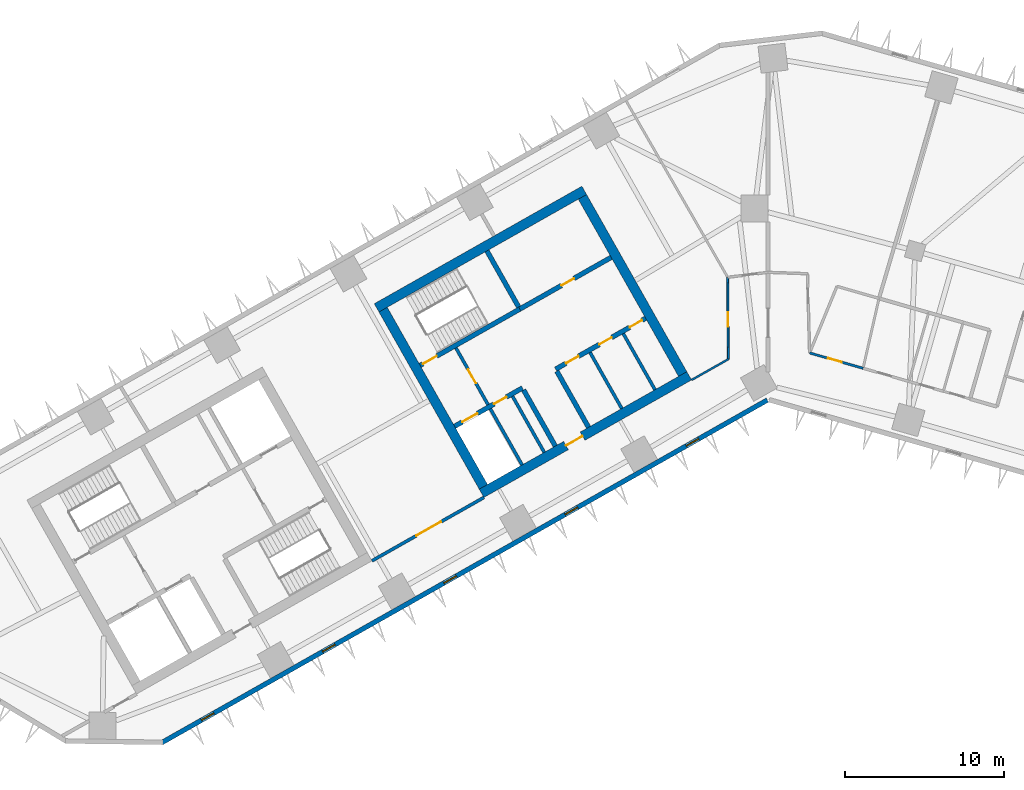
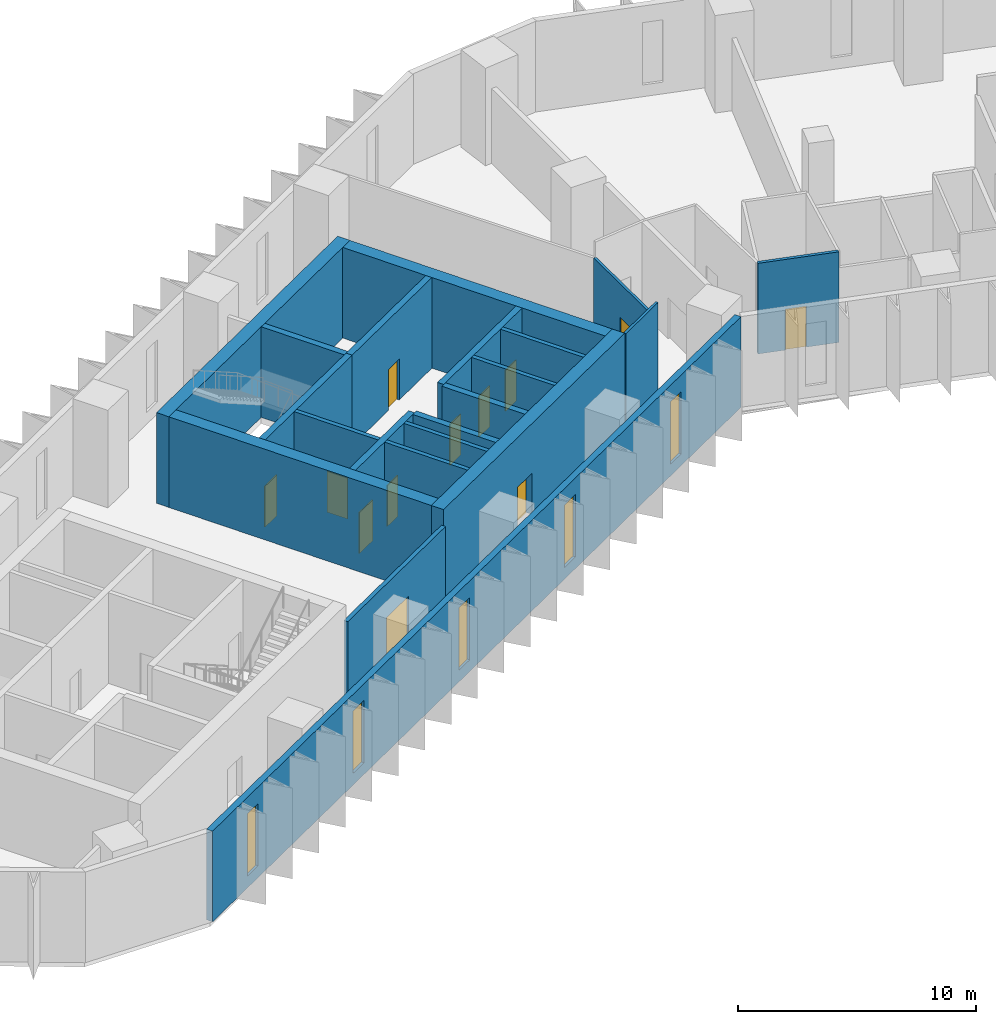
# One storey, part 4 of 11: 21 walls, 12 doors, 5 windows, 17 openings.
"""IFC4 building model written with IfcOpenShell, lengths in metres."""

from ifc_helpers import new_model, si_unit, direction, frame, frame_2d, origin, place, context, subcontext, project, spatial, rectangle, extrude, material, layer, layer_set, type_object, element, fill, save


model = new_model("IFC4")

# Units and contexts
model_context = context("Model", 3, precision=1e-05, world=origin(), true_north=direction((0.0, 1.0)))
body_context = subcontext(model_context, "Body", "Model", "MODEL_VIEW")
ifc_project = project(units=[si_unit("LENGTHUNIT", "METRE"), si_unit("AREAUNIT", "SQUARE_METRE"), si_unit("VOLUMEUNIT", "CUBIC_METRE"), si_unit("PLANEANGLEUNIT", "RADIAN"), si_unit("MASSUNIT", "GRAM", prefix="KILO")], contexts=[model_context])

# Site, building, storey
site_placement = place(None, origin())
site = spatial("IfcSite", under=ifc_project, at=site_placement, CompositionType="ELEMENT")
building_placement = place(site_placement, origin())
building = spatial("IfcBuilding", under=site, at=building_placement, Name="Binnacle Exchange Tower", CompositionType="ELEMENT")
storey_placement = place(building_placement, frame((0.0, 0.0, 86.5)))
storey = spatial("IfcBuildingStorey", under=building, at=storey_placement, Name="L17", CompositionType="ELEMENT", Elevation=86.5)

# Walls
ifc_material_1 = material(Name="Gypsum partition fire rated")
ifc_layer_1 = layer(ifc_material_1, 0.199951171875)
ifc_layer_set_1 = layer_set([ifc_layer_1], Name="Core partition 200")
wall_type_1 = type_object("IfcWallType", Name="Core partition 200", PredefinedType="PARTITIONING", material=ifc_layer_set_1)
wall_1_placement = place(storey_placement, frame((-11.201904296875, 50.96240234375, 0.0), z_axis=(0.0, 0.0, 1.0), x_axis=(0.49241474071, -0.870360685654, 0.0)))
element("IfcWall", 1, at=wall_1_placement, inside=storey, type_object=wall_type_1, Name="Core wall CRWC19", PredefinedType="PARTITIONING", context=body_context, shape_type="SweptSolid", body=[
    extrude(rectangle(XDim=4.05029296875, YDim=0.199951171875, at=frame_2d((2.025146484375, 0.0))), origin(), (0.0, 0.0, 1.0), 4.64990234375),
])
wall_2_placement = place(storey_placement, frame((-9.11279296875, 52.14404296875, 0.0), z_axis=(0.0, 0.0, 1.0), x_axis=(0.492394910396, -0.870371904542, 0.0)))
element("IfcWall", 2, at=wall_2_placement, inside=storey, type_object=wall_type_1, Name="Core wall CRWC22", PredefinedType="PARTITIONING", context=body_context, shape_type="SweptSolid", body=[
    extrude(rectangle(XDim=4.0498046875, YDim=0.199951171875, at=frame_2d((2.02490234375, 0.0))), origin(), (0.0, 0.0, 1.0), 4.64990234375),
])

# Wall, openings, doors
ifc_material_2 = material(Name="Concrete C70/85", Category="concrete")
ifc_layer_2 = layer(ifc_material_2, 0.300048828125)
ifc_layer_set_2 = layer_set([ifc_layer_2], Name="Core wall - front 300")
wall_type_2 = type_object("IfcWallType", Name="Core wall - front 300", PredefinedType="SOLIDWALL", material=ifc_layer_set_2)
wall_3_placement = place(storey_placement, frame((-19.718017578125, 46.31640625, 0.0), z_axis=(0.0, 0.0, 1.0), x_axis=(0.870353963862, 0.492426621528, 0.0)))
wall_3 = element("IfcWall", 3, at=wall_3_placement, inside=storey, type_object=wall_type_2, Name="Core wall CRWC2", PredefinedType="SOLIDWALL", context=body_context, shape_type="SweptSolid", body=[
    extrude(rectangle(XDim=4.89990234375, YDim=0.300048828125, at=frame_2d((2.449951171875, 0.0))), origin(), (0.0, 0.0, 1.0), 4.64990234375),
])
opening_1_placement = place(wall_3_placement, frame((0.550048828125, 0.0, 0.0)))
opening_1 = element("IfcOpeningElement", 4, at=opening_1_placement, cuts=wall_3, Name="Opening LD14", PredefinedType="OPENING", context=body_context, shape_type="SweptSolid", body=[
    extrude(rectangle(XDim=1.10009765625, YDim=2.10009765625, at=frame_2d((0.550048828125, 1.050048828125))), frame((0.0, 0.159912109375, 0.0), z_axis=(0.0, -1.0, 0.0), x_axis=(1.0, 0.0, 0.0)), (0.0, 0.0, 1.0), 0.320068359375),
])
opening_2_placement = place(wall_3_placement, frame((2.85009765625, 0.0, 0.0)))
opening_2 = element("IfcOpeningElement", 5, at=opening_2_placement, cuts=wall_3, Name="Opening DC14", PredefinedType="OPENING", context=body_context, shape_type="SweptSolid", body=[
    extrude(rectangle(XDim=0.89990234375, YDim=2.10009765625, at=frame_2d((0.449951171875, 1.050048828125))), frame((0.0, 0.159912109375, 0.0), z_axis=(0.0, -1.0, 0.0), x_axis=(1.0, 0.0, 0.0)), (0.0, 0.0, 1.0), 0.320068359375),
])
ifc_material_3 = material(Name="Steel door leaf", Category="steel")
door_type_1 = type_object("IfcDoorType", Name="Fire door - lift landing 1100", OperationType="NOTDEFINED", PredefinedType="DOOR", material=ifc_material_3)
door_1_placement = place(opening_1_placement, origin())
door_1 = element("IfcDoor", 6, at=door_1_placement, inside=storey, type_object=door_type_1, Name="Landing door LD14 L17", OperationType="DOUBLE_DOOR_SLIDING", OverallHeight=2.10009765625, OverallWidth=1.10009765625, PredefinedType="DOOR", context=body_context, shape_type="SweptSolid", body=[
    extrude(rectangle(XDim=1.10009765625, YDim=2.10009765625, at=frame_2d((0.550048828125, 1.050048828125))), frame((0.0, 0.02490234375, 0.0), z_axis=(0.0, -1.0, 0.0), x_axis=(1.0, 0.0, 0.0)), (0.0, 0.0, 1.0), 0.050048828125),
])
fill(opening_1, door_1)
door_type_2 = type_object("IfcDoorType", Name="Fire door 900", OperationType="NOTDEFINED", PredefinedType="DOOR", material=ifc_material_3)
door_2_placement = place(opening_2_placement, frame((0.89990234375, 0.0, 0.0), z_axis=(0.0, 0.0, 1.0), x_axis=(-1.0, 0.0, 0.0)))
door_2 = element("IfcDoor", 7, at=door_2_placement, inside=storey, type_object=door_type_2, Name="Core room door CLEANERS STORE", OperationType="SINGLE_SWING_LEFT", OverallHeight=2.10009765625, OverallWidth=0.89990234375, PredefinedType="DOOR", context=body_context, shape_type="SweptSolid", body=[
    extrude(rectangle(XDim=0.89990234375, YDim=2.10009765625, at=frame_2d((0.449951171875, 1.050048828125))), frame((0.0, 0.02490234375, 0.0), z_axis=(0.0, -1.0, 0.0), x_axis=(1.0, 0.0, 0.0)), (0.0, 0.0, 1.0), 0.050048828125),
])
fill(opening_2, door_2)

wall_4_placement = place(storey_placement, frame((-13.364501953125, 49.910888671875, 0.0), z_axis=(0.0, 0.0, 1.0), x_axis=(0.870340995471, 0.49244954219, 0.0)))
wall_4 = element("IfcWall", 8, at=wall_4_placement, inside=storey, type_object=wall_type_2, Name="Core wall CRWC3", PredefinedType="SOLIDWALL", context=body_context, shape_type="SweptSolid", body=[
    extrude(rectangle(XDim=6.5, YDim=0.300048828125, at=frame_2d((3.25, 0.0))), origin(), (0.0, 0.0, 1.0), 4.64990234375),
])
opening_3_placement = place(wall_4_placement, frame((0.75, 0.0, 0.0)))
opening_3 = element("IfcOpeningElement", 9, at=opening_3_placement, cuts=wall_4, Name="Opening DC18", PredefinedType="OPENING", context=body_context, shape_type="SweptSolid", body=[
    extrude(rectangle(XDim=0.89990234375, YDim=2.10009765625, at=frame_2d((0.449951171875, 1.050048828125))), frame((0.0, 0.159912109375, 0.0), z_axis=(0.0, -1.0, 0.0), x_axis=(1.0, 0.0, 0.0)), (0.0, 0.0, 1.0), 0.320068359375),
])
opening_4_placement = place(wall_4_placement, frame((3.14990234375, 0.0, 0.0)))
opening_4 = element("IfcOpeningElement", 10, at=opening_4_placement, cuts=wall_4, Name="Opening DC19", PredefinedType="OPENING", context=body_context, shape_type="SweptSolid", body=[
    extrude(rectangle(XDim=0.89990234375, YDim=2.10009765625, at=frame_2d((0.449951171875, 1.050048828125))), frame((0.0, 0.159912109375, 0.0), z_axis=(0.0, -1.0, 0.0), x_axis=(1.0, 0.0, 0.0)), (0.0, 0.0, 1.0), 0.320068359375),
])
opening_5_placement = place(wall_4_placement, frame((5.35009765625, 0.0, 0.0)))
opening_5 = element("IfcOpeningElement", 11, at=opening_5_placement, cuts=wall_4, Name="Opening DC20", PredefinedType="OPENING", context=body_context, shape_type="SweptSolid", body=[
    extrude(rectangle(XDim=0.89990234375, YDim=2.10009765625, at=frame_2d((0.449951171875, 1.050048828125))), frame((0.0, 0.159912109375, 0.0), z_axis=(0.0, -1.0, 0.0), x_axis=(1.0, 0.0, 0.0)), (0.0, 0.0, 1.0), 0.320068359375),
])
door_3_placement = place(opening_3_placement, frame((0.89990234375, 0.0, 0.0), z_axis=(0.0, 0.0, 1.0), x_axis=(-1.0, 0.0, 0.0)))
door_3 = element("IfcDoor", 12, at=door_3_placement, inside=storey, type_object=door_type_2, Name="Core room door IT STORE", OperationType="SINGLE_SWING_RIGHT", OverallHeight=2.10009765625, OverallWidth=0.89990234375, PredefinedType="DOOR", context=body_context, shape_type="SweptSolid", body=[
    extrude(rectangle(XDim=0.89990234375, YDim=2.10009765625, at=frame_2d((0.449951171875, 1.050048828125))), frame((0.0, 0.02490234375, 0.0), z_axis=(0.0, -1.0, 0.0), x_axis=(1.0, 0.0, 0.0)), (0.0, 0.0, 1.0), 0.050048828125),
])
fill(opening_3, door_3)
door_4_placement = place(opening_4_placement, frame((0.89990234375, 0.0, 0.0), z_axis=(0.0, 0.0, 1.0), x_axis=(-1.0, 0.0, 0.0)))
door_4 = element("IfcDoor", 13, at=door_4_placement, inside=storey, type_object=door_type_2, Name="Core room door UPS CUPBOARD", OperationType="SINGLE_SWING_LEFT", OverallHeight=2.10009765625, OverallWidth=0.89990234375, PredefinedType="DOOR", context=body_context, shape_type="SweptSolid", body=[
    extrude(rectangle(XDim=0.89990234375, YDim=2.10009765625, at=frame_2d((0.449951171875, 1.050048828125))), frame((0.0, 0.02490234375, 0.0), z_axis=(0.0, -1.0, 0.0), x_axis=(1.0, 0.0, 0.0)), (0.0, 0.0, 1.0), 0.050048828125),
])
fill(opening_4, door_4)
door_5_placement = place(opening_5_placement, frame((0.89990234375, 0.0, 0.0), z_axis=(0.0, 0.0, 1.0), x_axis=(-1.0, 0.0, 0.0)))
door_5 = element("IfcDoor", 14, at=door_5_placement, inside=storey, type_object=door_type_2, Name="Core room door FIBRE ENTRY ROOM", OperationType="SINGLE_SWING_LEFT", OverallHeight=2.10009765625, OverallWidth=0.89990234375, PredefinedType="DOOR", context=body_context, shape_type="SweptSolid", body=[
    extrude(rectangle(XDim=0.89990234375, YDim=2.10009765625, at=frame_2d((0.449951171875, 1.050048828125))), frame((0.0, 0.02490234375, 0.0), z_axis=(0.0, -1.0, 0.0), x_axis=(1.0, 0.0, 0.0)), (0.0, 0.0, 1.0), 0.050048828125),
])
fill(opening_5, door_5)

# Wall, opening, door
wall_5_placement = place(storey_placement, frame((-15.6181640625, 53.69140625, 0.0), z_axis=(0.0, 0.0, 1.0), x_axis=(0.870356769198, 0.492421663121, 0.0)))
wall_5 = element("IfcWall", 15, at=wall_5_placement, inside=storey, type_object=wall_type_2, Name="Core wall CRWC5", PredefinedType="SOLIDWALL", context=body_context, shape_type="SweptSolid", body=[
    extrude(rectangle(XDim=6.60009765625, YDim=0.300048828125, at=frame_2d((3.300048828125, 0.0))), origin(), (0.0, 0.0, 1.0), 4.64990234375),
])
opening_6_placement = place(wall_5_placement, frame((3.0, 0.0, 0.0)))
opening_6 = element("IfcOpeningElement", 16, at=opening_6_placement, cuts=wall_5, Name="Opening DC10", PredefinedType="OPENING", context=body_context, shape_type="SweptSolid", body=[
    extrude(rectangle(XDim=0.89990234375, YDim=2.10009765625, at=frame_2d((0.449951171875, 1.050048828125))), frame((0.0, 0.159912109375, 0.0), z_axis=(0.0, -1.0, 0.0), x_axis=(1.0, 0.0, 0.0)), (0.0, 0.0, 1.0), 0.320068359375),
])
door_6_placement = place(opening_6_placement, origin())
door_6 = element("IfcDoor", 17, at=door_6_placement, inside=storey, type_object=door_type_2, Name="Core room door STAFF PANTRY AND STORE", OperationType="SINGLE_SWING_RIGHT", OverallHeight=2.10009765625, OverallWidth=0.89990234375, PredefinedType="DOOR", context=body_context, shape_type="SweptSolid", body=[
    extrude(rectangle(XDim=0.89990234375, YDim=2.10009765625, at=frame_2d((0.449951171875, 1.050048828125))), frame((0.0, 0.02490234375, 0.0), z_axis=(0.0, -1.0, 0.0), x_axis=(1.0, 0.0, 0.0)), (0.0, 0.0, 1.0), 0.050048828125),
])
fill(opening_6, door_6)

# Walls
for number, where, z_axis, x_axis, name in (
    (18, (-15.37939453125, 48.5986328125, 0.0), (0.0, 0.0, 1.0), (0.492394910396, -0.870371904542, 0.0), "Core wall CRWC13"),
    (19, (-13.29052734375, 49.780517578125, 0.0), (0.0, 0.0, 1.0), (0.492394910396, -0.870371904542, 0.0), "Core wall CRWC15"),
):
    element("IfcWall", number, at=place(storey_placement, frame(where, z_axis=z_axis, x_axis=x_axis)), inside=storey, type_object=wall_type_2, Name=name, PredefinedType="SOLIDWALL", context=body_context, shape_type="SweptSolid", body=[
        extrude(rectangle(XDim=4.0498046875, YDim=0.300048828125, at=frame_2d((2.02490234375, 0.0))), origin(), (0.0, 0.0, 1.0), 4.64990234375),
    ])

# Wall, opening, door
ifc_layer_3 = layer(ifc_material_2, 0.60009765625)
ifc_layer_set_3 = layer_set([ifc_layer_3], Name="Core wall - outer 600")
wall_type_3 = type_object("IfcWallType", Name="Core wall - outer 600", PredefinedType="SOLIDWALL", material=ifc_layer_set_3)
wall_6_placement = place(storey_placement, frame((-18.0244140625, 42.104248046875, 0.0), z_axis=(0.0, 0.0, 1.0), x_axis=(0.870360574057, 0.492414937962, 0.0)))
wall_6 = element("IfcWall", 20, at=wall_6_placement, inside=storey, type_object=wall_type_3, Name="Core wall CRWC1", PredefinedType="SOLIDWALL", context=body_context, shape_type="SweptSolid", body=[
    extrude(rectangle(XDim=15.0, YDim=0.60009765625, at=frame_2d((7.5, 0.0))), origin(), (0.0, 0.0, 1.0), 4.64990234375),
])
opening_7_placement = place(wall_6_placement, frame((6.10009765625, 0.0, 0.0)))
opening_7 = element("IfcOpeningElement", 21, at=opening_7_placement, cuts=wall_6, Name="Opening DC7", PredefinedType="OPENING", context=body_context, shape_type="SweptSolid", body=[
    extrude(rectangle(XDim=1.199951171875, YDim=2.10009765625, at=frame_2d((0.60009765625, 1.050048828125))), frame((0.0, 0.31005859375, 0.0), z_axis=(0.0, -1.0, 0.0), x_axis=(1.0, 0.0, 0.0)), (0.0, 0.0, 1.0), 0.6201171875),
])
door_type_3 = type_object("IfcDoorType", Name="Fire door 1200", OperationType="NOTDEFINED", PredefinedType="DOOR", material=ifc_material_3)
door_7_placement = place(opening_7_placement, frame((1.199951171875, 0.0, 0.0), z_axis=(0.0, 0.0, 1.0), x_axis=(-1.0, 0.0, 0.0)))
door_7 = element("IfcDoor", 22, at=door_7_placement, inside=storey, type_object=door_type_3, Name="Lift lobby entrance door core C", OperationType="SINGLE_SWING_RIGHT", OverallHeight=2.10009765625, OverallWidth=1.199951171875, PredefinedType="DOOR", context=body_context, shape_type="SweptSolid", body=[
    extrude(rectangle(XDim=1.199951171875, YDim=2.10009765625, at=frame_2d((0.60009765625, 1.050048828125))), frame((0.0, 0.02490234375, 0.0), z_axis=(0.0, -1.0, 0.0), x_axis=(1.0, 0.0, 0.0)), (0.0, 0.0, 1.0), 0.050048828125),
])
fill(opening_7, door_7)

# Walls
wall_7_placement = place(storey_placement, frame((-24.622802734375, 53.76708984375, 0.0), z_axis=(0.0, 0.0, 1.0), x_axis=(0.870356627484, 0.492421913601, 0.0)))
element("IfcWall", 23, at=wall_7_placement, inside=storey, type_object=wall_type_3, Name="Core wall CRWC6", PredefinedType="SOLIDWALL", context=body_context, shape_type="SweptSolid", body=[
    extrude(rectangle(XDim=14.999755859375, YDim=0.60009765625, at=frame_2d((7.5, 0.0))), origin(), (0.0, 0.0, 1.0), 4.64990234375),
])
wall_8_placement = place(storey_placement, frame((-24.214111328125, 53.653564453125, 0.0), z_axis=(0.0, 0.0, 1.0), x_axis=(0.492441221355, -0.870345703448, 0.0)))
element("IfcWall", 24, at=wall_8_placement, inside=storey, type_object=wall_type_3, Name="Core wall CRWC7", PredefinedType="SOLIDWALL", context=body_context, shape_type="SweptSolid", body=[
    extrude(rectangle(XDim=12.800048828125, YDim=0.60009765625, at=frame_2d((6.39990234375, 0.0))), origin(), (0.0, 0.0, 1.0), 4.64990234375),
])
wall_9_placement = place(storey_placement, frame((-11.680908203125, 60.744384765625, 0.0), z_axis=(0.0, 0.0, 1.0), x_axis=(0.492426772896, -0.870353878221, 0.0)))
element("IfcWall", 25, at=wall_9_placement, inside=storey, type_object=wall_type_3, Name="Core wall CRWC24", PredefinedType="SOLIDWALL", context=body_context, shape_type="SweptSolid", body=[
    extrude(rectangle(XDim=12.7998046875, YDim=0.60009765625, at=frame_2d((6.39990234375, 0.0))), origin(), (0.0, 0.0, 1.0), 4.64990234375),
])

# Wall, opening, door
ifc_layer_4 = layer(ifc_material_2, 0.300048828125)
ifc_layer_set_4 = layer_set([ifc_layer_4], Name="Core wall - stair 300")
wall_type_4 = type_object("IfcWallType", Name="Core wall - stair 300", PredefinedType="SOLIDWALL", material=ifc_layer_set_4)
wall_10_placement = place(storey_placement, frame((-21.884765625, 50.14599609375, 0.0), z_axis=(0.0, 0.0, 1.0), x_axis=(0.870359411463, 0.492416992881, 0.0)))
wall_10 = element("IfcWall", 26, at=wall_10_placement, inside=storey, type_object=wall_type_4, Name="Core wall CRWC4", PredefinedType="SOLIDWALL", context=body_context, shape_type="SweptSolid", body=[
    extrude(rectangle(XDim=7.199951171875, YDim=0.300048828125, at=frame_2d((3.60009765625, 0.0))), origin(), (0.0, 0.0, 1.0), 4.64990234375),
])
opening_8_placement = place(wall_10_placement, frame((0.199951171875, 0.0, 0.0)))
opening_8 = element("IfcOpeningElement", 27, at=opening_8_placement, cuts=wall_10, Name="Opening DC1", PredefinedType="OPENING", context=body_context, shape_type="SweptSolid", body=[
    extrude(rectangle(XDim=1.0, YDim=2.10009765625, at=frame_2d((0.5, 1.050048828125))), frame((0.0, 0.159912109375, 0.0), z_axis=(0.0, -1.0, 0.0), x_axis=(1.0, 0.0, 0.0)), (0.0, 0.0, 1.0), 0.320068359375),
])
door_type_4 = type_object("IfcDoorType", Name="Fire door 1000", OperationType="NOTDEFINED", PredefinedType="DOOR", material=ifc_material_3)
door_8_placement = place(opening_8_placement, origin())
door_8 = element("IfcDoor", 28, at=door_8_placement, inside=storey, type_object=door_type_4, Name="Stair door ST-C1", OperationType="SINGLE_SWING_LEFT", OverallHeight=2.10009765625, OverallWidth=1.0, PredefinedType="DOOR", context=body_context, shape_type="SweptSolid", body=[
    extrude(rectangle(XDim=1.0, YDim=2.10009765625, at=frame_2d((0.5, 1.050048828125))), frame((0.0, 0.02490234375, 0.0), z_axis=(0.0, -1.0, 0.0), x_axis=(1.0, 0.0, 0.0)), (0.0, 0.0, 1.0), 0.050048828125),
])
fill(opening_8, door_8)

# Wall
wall_11_placement = place(storey_placement, frame((-17.686279296875, 57.3466796875, 0.0), z_axis=(0.0, 0.0, 1.0), x_axis=(0.492420746998, -0.870357287513, 0.0)))
element("IfcWall", 29, at=wall_11_placement, inside=storey, type_object=wall_type_4, Name="Core wall CRWC14", PredefinedType="SOLIDWALL", context=body_context, shape_type="SweptSolid", body=[
    extrude(rectangle(XDim=4.049560546875, YDim=0.300048828125, at=frame_2d((2.02490234375, 0.0))), origin(), (0.0, 0.0, 1.0), 4.64990234375),
])

# Wall, openings, windows
ifc_material_4 = material(Name="Bronze aluminium cladding", Category="aluminium")
ifc_layer_5 = layer(ifc_material_4, 0.300048828125)
ifc_layer_set_5 = layer_set([ifc_layer_5], Name="External wall - spandrel 300")
wall_type_5 = type_object("IfcWallType", Name="External wall - spandrel 300", PredefinedType="STANDARD", material=ifc_layer_set_5)
wall_12_placement = place(storey_placement, frame((-0.0546875, 47.968994140625, 0.0), z_axis=(0.0, 0.0, 1.0), x_axis=(-0.870355730478, -0.492423499058, 0.0)))
wall_12 = element("IfcWall", 30, at=wall_12_placement, inside=storey, type_object=wall_type_5, Name="External wall EW-F07 L17", PredefinedType="STANDARD", context=body_context, shape_type="SweptSolid", body=[
    extrude(rectangle(XDim=43.750244140625, YDim=0.300048828125, at=frame_2d((21.875, 0.0))), origin(), (0.0, 0.0, 1.0), 4.64990234375),
])
opening_9_placement = place(wall_12_placement, frame((39.976806640625, 0.0, 0.60009765625)))
opening_9 = element("IfcOpeningElement", 31, at=opening_9_placement, cuts=wall_12, Name="Opening WS1", PredefinedType="OPENING", context=body_context, shape_type="SweptSolid", body=[
    extrude(rectangle(XDim=0.89990234375, YDim=3.199951171875, at=frame_2d((0.449951171875, 1.60009765625))), frame((0.0, 0.159912109375, 0.0), z_axis=(0.0, -1.0, 0.0), x_axis=(1.0, 0.0, 0.0)), (0.0, 0.0, 1.0), 0.320068359375),
])
opening_10_placement = place(wall_12_placement, frame((31.222412109375, 0.0, 0.60009765625)))
opening_10 = element("IfcOpeningElement", 32, at=opening_10_placement, cuts=wall_12, Name="Opening WS1", PredefinedType="OPENING", context=body_context, shape_type="SweptSolid", body=[
    extrude(rectangle(XDim=0.89990234375, YDim=3.199951171875, at=frame_2d((0.449951171875, 1.60009765625))), frame((0.0, 0.159912109375, 0.0), z_axis=(0.0, -1.0, 0.0), x_axis=(1.0, 0.0, 0.0)), (0.0, 0.0, 1.0), 0.320068359375),
])
opening_11_placement = place(wall_12_placement, frame((22.4677734375, 0.0, 0.60009765625)))
opening_11 = element("IfcOpeningElement", 33, at=opening_11_placement, cuts=wall_12, Name="Opening WS1", PredefinedType="OPENING", context=body_context, shape_type="SweptSolid", body=[
    extrude(rectangle(XDim=0.89990234375, YDim=3.199951171875, at=frame_2d((0.449951171875, 1.60009765625))), frame((0.0, 0.159912109375, 0.0), z_axis=(0.0, -1.0, 0.0), x_axis=(1.0, 0.0, 0.0)), (0.0, 0.0, 1.0), 0.320068359375),
])
opening_12_placement = place(wall_12_placement, frame((13.713134765625, 0.0, 0.60009765625)))
opening_12 = element("IfcOpeningElement", 34, at=opening_12_placement, cuts=wall_12, Name="Opening WS1", PredefinedType="OPENING", context=body_context, shape_type="SweptSolid", body=[
    extrude(rectangle(XDim=0.89990234375, YDim=3.199951171875, at=frame_2d((0.449951171875, 1.60009765625))), frame((0.0, 0.159912109375, 0.0), z_axis=(0.0, -1.0, 0.0), x_axis=(1.0, 0.0, 0.0)), (0.0, 0.0, 1.0), 0.320068359375),
])
opening_13_placement = place(wall_12_placement, frame((4.958740234375, 0.0, 0.60009765625)))
opening_13 = element("IfcOpeningElement", 35, at=opening_13_placement, cuts=wall_12, Name="Opening WS1", PredefinedType="OPENING", context=body_context, shape_type="SweptSolid", body=[
    extrude(rectangle(XDim=0.89990234375, YDim=3.199951171875, at=frame_2d((0.449951171875, 1.60009765625))), frame((0.0, 0.159912109375, 0.0), z_axis=(0.0, -1.0, 0.0), x_axis=(1.0, 0.0, 0.0)), (0.0, 0.0, 1.0), 0.320068359375),
])
ifc_material_5 = material(Name="Bronze anodised aluminium frame", Category="aluminium")
window_type = type_object("IfcWindowType", Name="WS1 WINDOW 900x3200", PartitioningType="SINGLE_PANEL", PredefinedType="WINDOW", material=ifc_material_5)
window_1_placement = place(opening_9_placement, origin())
window_1 = element("IfcWindow", 36, at=window_1_placement, inside=storey, type_object=window_type, Name="Window WS1 L17", OverallHeight=3.199951171875, OverallWidth=0.89990234375, PartitioningType="SINGLE_PANEL", PredefinedType="WINDOW", context=body_context, shape_type="SweptSolid", body=[
    extrude(rectangle(XDim=0.89990234375, YDim=3.199951171875, at=frame_2d((0.449951171875, 1.60009765625))), frame((0.0, 0.030029296875, 0.0), z_axis=(0.0, -1.0, 0.0), x_axis=(1.0, 0.0, 0.0)), (0.0, 0.0, 1.0), 0.06005859375),
])
fill(opening_9, window_1)
window_2_placement = place(opening_10_placement, origin())
window_2 = element("IfcWindow", 37, at=window_2_placement, inside=storey, type_object=window_type, Name="Window WS1 L17", OverallHeight=3.199951171875, OverallWidth=0.89990234375, PartitioningType="SINGLE_PANEL", PredefinedType="WINDOW", context=body_context, shape_type="SweptSolid", body=[
    extrude(rectangle(XDim=0.89990234375, YDim=3.199951171875, at=frame_2d((0.449951171875, 1.60009765625))), frame((0.0, 0.030029296875, 0.0), z_axis=(0.0, -1.0, 0.0), x_axis=(1.0, 0.0, 0.0)), (0.0, 0.0, 1.0), 0.06005859375),
])
fill(opening_10, window_2)
window_3_placement = place(opening_11_placement, origin())
window_3 = element("IfcWindow", 38, at=window_3_placement, inside=storey, type_object=window_type, Name="Window WS1 L17", OverallHeight=3.199951171875, OverallWidth=0.89990234375, PartitioningType="SINGLE_PANEL", PredefinedType="WINDOW", context=body_context, shape_type="SweptSolid", body=[
    extrude(rectangle(XDim=0.89990234375, YDim=3.199951171875, at=frame_2d((0.449951171875, 1.60009765625))), frame((0.0, 0.030029296875, 0.0), z_axis=(0.0, -1.0, 0.0), x_axis=(1.0, 0.0, 0.0)), (0.0, 0.0, 1.0), 0.06005859375),
])
fill(opening_11, window_3)
window_4_placement = place(opening_12_placement, origin())
window_4 = element("IfcWindow", 39, at=window_4_placement, inside=storey, type_object=window_type, Name="Window WS1 L17", OverallHeight=3.199951171875, OverallWidth=0.89990234375, PartitioningType="SINGLE_PANEL", PredefinedType="WINDOW", context=body_context, shape_type="SweptSolid", body=[
    extrude(rectangle(XDim=0.89990234375, YDim=3.199951171875, at=frame_2d((0.449951171875, 1.60009765625))), frame((0.0, 0.030029296875, 0.0), z_axis=(0.0, -1.0, 0.0), x_axis=(1.0, 0.0, 0.0)), (0.0, 0.0, 1.0), 0.06005859375),
])
fill(opening_12, window_4)
window_5_placement = place(opening_13_placement, origin())
window_5 = element("IfcWindow", 40, at=window_5_placement, inside=storey, type_object=window_type, Name="Window WS1 L17", OverallHeight=3.199951171875, OverallWidth=0.89990234375, PartitioningType="SINGLE_PANEL", PredefinedType="WINDOW", context=body_context, shape_type="SweptSolid", body=[
    extrude(rectangle(XDim=0.89990234375, YDim=3.199951171875, at=frame_2d((0.449951171875, 1.60009765625))), frame((0.0, 0.030029296875, 0.0), z_axis=(0.0, -1.0, 0.0), x_axis=(1.0, 0.0, 0.0)), (0.0, 0.0, 1.0), 0.06005859375),
])
fill(opening_13, window_5)

# Wall, opening, door
ifc_material_6 = material(Name="Masonry block wall", Category="masonry")
ifc_layer_6 = layer(ifc_material_6, 0.199951171875)
ifc_layer_set_6 = layer_set([ifc_layer_6], Name="Fire wall - block 200")
wall_type_6 = type_object("IfcWallType", Name="Fire wall - block 200", PredefinedType="PARTITIONING", material=ifc_layer_set_6)
wall_13_placement = place(storey_placement, frame((-24.9189453125, 37.85888671875, 0.0), z_axis=(0.0, 0.0, 1.0), x_axis=(0.870357635969, 0.492420131098, 0.0)))
wall_13 = element("IfcWall", 41, at=wall_13_placement, inside=storey, type_object=wall_type_6, Name="Partition W04", PredefinedType="PARTITIONING", context=body_context, shape_type="SweptSolid", body=[
    extrude(rectangle(XDim=8.0908203125, YDim=0.199951171875, at=frame_2d((4.04541015625, 0.0))), origin(), (0.0, 0.0, 1.0), 3.822021484375),
])
opening_14_placement = place(wall_13_placement, frame((3.199951171875, 0.0, 0.0)))
opening_14 = element("IfcOpeningElement", 42, at=opening_14_placement, cuts=wall_13, Name="Opening DL16-02", PredefinedType="OPENING", context=body_context, shape_type="SweptSolid", body=[
    extrude(rectangle(XDim=1.800048828125, YDim=2.10009765625, at=frame_2d((0.89990234375, 1.050048828125))), frame((0.0, 0.10986328125, 0.0), z_axis=(0.0, -1.0, 0.0), x_axis=(1.0, 0.0, 0.0)), (0.0, 0.0, 1.0), 0.219970703125),
])
door_type_5 = type_object("IfcDoorType", Name="Fire door 1800", OperationType="NOTDEFINED", PredefinedType="DOOR", material=ifc_material_3)
door_9_placement = place(opening_14_placement, origin())
door_9 = element("IfcDoor", 43, at=door_9_placement, inside=storey, type_object=door_type_5, Name="Door DL16-02", OperationType="DOUBLE_DOOR_SINGLE_SWING", OverallHeight=2.10009765625, OverallWidth=1.800048828125, PredefinedType="DOOR", context=body_context, shape_type="SweptSolid", body=[
    extrude(rectangle(XDim=1.800048828125, YDim=2.10009765625, at=frame_2d((0.89990234375, 1.050048828125))), frame((0.0, 0.02490234375, 0.0), z_axis=(0.0, -1.0, 0.0), x_axis=(1.0, 0.0, 0.0)), (0.0, 0.0, 1.0), 0.050048828125),
])
fill(opening_14, door_9)

ifc_layer_7 = layer(ifc_material_6, 0.199951171875)
ifc_layer_set_7 = layer_set([ifc_layer_7], Name="Fire wall - vestibule 200")
wall_type_7 = type_object("IfcWallType", Name="Fire wall - vestibule 200", PredefinedType="PARTITIONING", material=ifc_layer_set_7)
wall_14_placement = place(storey_placement, frame((-19.635009765625, 51.246337890625, 0.0), z_axis=(0.0, 0.0, 1.0), x_axis=(0.492408451753, -0.87036424366, 0.0)))
wall_14 = element("IfcWall", 44, at=wall_14_placement, inside=storey, type_object=wall_type_7, Name="Core wall CRWC10", PredefinedType="PARTITIONING", context=body_context, shape_type="SweptSolid", body=[
    extrude(rectangle(XDim=4.099853515625, YDim=0.199951171875, at=frame_2d((2.0498046875, 0.0))), origin(), (0.0, 0.0, 1.0), 4.64990234375),
])
opening_15_placement = place(wall_14_placement, frame((1.550048828125, 0.0, 0.0)))
opening_15 = element("IfcOpeningElement", 45, at=opening_15_placement, cuts=wall_14, Name="Opening DC3", PredefinedType="OPENING", context=body_context, shape_type="SweptSolid", body=[
    extrude(rectangle(XDim=1.0, YDim=2.10009765625, at=frame_2d((0.5, 1.050048828125))), frame((0.0, 0.10986328125, 0.0), z_axis=(0.0, -1.0, 0.0), x_axis=(1.0, 0.0, 0.0)), (0.0, 0.0, 1.0), 0.219970703125),
])
door_10_placement = place(opening_15_placement, frame((1.0, 0.0, 0.0), z_axis=(0.0, 0.0, 1.0), x_axis=(-1.0, 0.0, 0.0)))
door_10 = element("IfcDoor", 46, at=door_10_placement, inside=storey, type_object=door_type_4, Name="Vestibule door VEST-W", OperationType="SINGLE_SWING_RIGHT", OverallHeight=2.10009765625, OverallWidth=1.0, PredefinedType="DOOR", context=body_context, shape_type="SweptSolid", body=[
    extrude(rectangle(XDim=1.0, YDim=2.10009765625, at=frame_2d((0.5, 1.050048828125))), frame((0.0, 0.02490234375, 0.0), z_axis=(0.0, -1.0, 0.0), x_axis=(1.0, 0.0, 0.0)), (0.0, 0.0, 1.0), 0.050048828125),
])
fill(opening_15, door_10)

ifc_layer_8 = layer(ifc_material_1, 0.14990234375)
ifc_layer_set_8 = layer_set([ifc_layer_8], Name="Fire-rated partition 150")
wall_type_8 = type_object("IfcWallType", Name="Fire-rated partition 150", PredefinedType="PARTITIONING", material=ifc_layer_set_8)
wall_15_placement = place(storey_placement, frame((2.60107421875, 50.931884765625, 0.0), z_axis=(0.0, 0.0, 1.0), x_axis=(0.961265606965, -0.27562371608, 0.0)))
wall_15 = element("IfcWall", 47, at=wall_15_placement, inside=storey, type_object=wall_type_8, Name="Partition W16", PredefinedType="PARTITIONING", context=body_context, shape_type="SweptSolid", body=[
    extrude(rectangle(XDim=3.50048828125, YDim=0.14990234375, at=frame_2d((1.750244140625, 0.0))), origin(), (0.0, 0.0, 1.0), 4.64990234375),
])
opening_16_placement = place(wall_15_placement, frame((1.199951171875, 0.0, 0.0)))
opening_16 = element("IfcOpeningElement", 48, at=opening_16_placement, cuts=wall_15, Name="Opening DL16-05", PredefinedType="OPENING", context=body_context, shape_type="SweptSolid", body=[
    extrude(rectangle(XDim=0.89990234375, YDim=2.10009765625, at=frame_2d((0.449951171875, 1.050048828125))), frame((0.0, 0.0849609375, 0.0), z_axis=(0.0, -1.0, 0.0), x_axis=(1.0, 0.0, 0.0)), (0.0, 0.0, 1.0), 0.169921875),
])
door_11_placement = place(opening_16_placement, origin())
door_11 = element("IfcDoor", 49, at=door_11_placement, inside=storey, type_object=door_type_2, Name="Door DL16-05", OperationType="SINGLE_SWING_LEFT", OverallHeight=2.10009765625, OverallWidth=0.89990234375, PredefinedType="DOOR", context=body_context, shape_type="SweptSolid", body=[
    extrude(rectangle(XDim=0.89990234375, YDim=2.10009765625, at=frame_2d((0.449951171875, 1.050048828125))), frame((0.0, 0.02490234375, 0.0), z_axis=(0.0, -1.0, 0.0), x_axis=(1.0, 0.0, 0.0)), (0.0, 0.0, 1.0), 0.050048828125),
])
fill(opening_16, door_11)

# Wall
ifc_material_7 = material(Name="Gypsum partition")
ifc_layer_9 = layer(ifc_material_7, 0.125)
ifc_layer_set_9 = layer_set([ifc_layer_9], Name="Partition 125")
wall_type_9 = type_object("IfcWallType", Name="Partition 125", PredefinedType="PARTITIONING", material=ifc_layer_set_9)
wall_16_placement = place(storey_placement, frame((-4.821044921875, 49.22998046875, 0.0), z_axis=(0.0, 0.0, 1.0), x_axis=(0.870371217631, 0.492396124598, 0.0)))
element("IfcWall", 50, at=wall_16_placement, inside=storey, type_object=wall_type_9, Name="Partition W07", PredefinedType="PARTITIONING", context=body_context, shape_type="SweptSolid", body=[
    extrude(rectangle(XDim=2.65869140625, YDim=0.125, at=frame_2d((1.329345703125, 0.0))), origin(), (0.0, 0.0, 1.0), 4.64990234375),
])

# Wall, opening, door
wall_17_placement = place(storey_placement, frame((-2.547119140625, 55.68701171875, 0.0), z_axis=(0.0, 0.0, 1.0), x_axis=(0.007777437156, -0.999969755278, 0.0)))
wall_17 = element("IfcWall", 51, at=wall_17_placement, inside=storey, type_object=wall_type_9, Name="Partition W08", PredefinedType="PARTITIONING", context=body_context, shape_type="SweptSolid", body=[
    extrude(rectangle(XDim=5.148193359375, YDim=0.125, at=frame_2d((2.57421875, 0.0))), origin(), (0.0, 0.0, 1.0), 3.822021484375),
])
opening_17_placement = place(wall_17_placement, frame((2.199951171875, 0.0, 0.0)))
opening_17 = element("IfcOpeningElement", 52, at=opening_17_placement, cuts=wall_17, Name="Opening DL16-03", PredefinedType="OPENING", context=body_context, shape_type="SweptSolid", body=[
    extrude(rectangle(XDim=0.89990234375, YDim=2.10009765625, at=frame_2d((0.449951171875, 1.050048828125))), frame((0.0, 0.072509765625, 0.0), z_axis=(0.0, -1.0, 0.0), x_axis=(1.0, 0.0, 0.0)), (0.0, 0.0, 1.0), 0.14501953125),
])
ifc_material_8 = material(Name="Timber door leaf", Category="wood")
door_type_6 = type_object("IfcDoorType", Name="Door 900", OperationType="NOTDEFINED", PredefinedType="DOOR", material=ifc_material_8)
door_12_placement = place(opening_17_placement, frame((0.89990234375, 0.0, 0.0), z_axis=(0.0, 0.0, 1.0), x_axis=(-1.0, 0.0, 0.0)))
door_12 = element("IfcDoor", 53, at=door_12_placement, inside=storey, type_object=door_type_6, Name="Door DL16-03", OperationType="SINGLE_SWING_LEFT", OverallHeight=2.10009765625, OverallWidth=0.89990234375, PredefinedType="DOOR", context=body_context, shape_type="SweptSolid", body=[
    extrude(rectangle(XDim=0.89990234375, YDim=2.10009765625, at=frame_2d((0.449951171875, 1.050048828125))), frame((0.0, 0.02490234375, 0.0), z_axis=(0.0, -1.0, 0.0), x_axis=(1.0, 0.0, 0.0)), (0.0, 0.0, 1.0), 0.050048828125),
])
fill(opening_17, door_12)

# Walls
ifc_layer_10 = layer(ifc_material_6, 0.199951171875)
ifc_layer_set_10 = layer_set([ifc_layer_10], Name="Riser wall 200")
wall_type_10 = type_object("IfcWallType", Name="Riser wall 200", PredefinedType="SOLIDWALL", material=ifc_layer_set_10)
wall_18_placement = place(storey_placement, frame((-16.07568359375, 48.20458984375, 0.0), z_axis=(0.0, 0.0, 1.0), x_axis=(0.492394910396, -0.870371904542, 0.0)))
element("IfcWall", 54, at=wall_18_placement, inside=storey, type_object=wall_type_10, Name="Core wall CRWC12", PredefinedType="SOLIDWALL", context=body_context, shape_type="SweptSolid", body=[
    extrude(rectangle(XDim=4.0498046875, YDim=0.199951171875, at=frame_2d((2.02490234375, 0.0))), origin(), (0.0, 0.0, 1.0), 4.64990234375),
])
ifc_layer_11 = layer(ifc_material_6, 0.199951171875)
ifc_layer_set_11 = layer_set([ifc_layer_11], Name="Shaft wall 200")
wall_type_11 = type_object("IfcWallType", Name="Shaft wall 200", PredefinedType="SOLIDWALL", material=ifc_layer_set_11)
wall_19_placement = place(storey_placement, frame((-17.468505859375, 47.416748046875, 0.0), z_axis=(0.0, 0.0, 1.0), x_axis=(0.492440575896, -0.870346068648, 0.0)))
element("IfcWall", 55, at=wall_19_placement, inside=storey, type_object=wall_type_11, Name="Core wall CRWC9", PredefinedType="SOLIDWALL", context=body_context, shape_type="SweptSolid", body=[
    extrude(rectangle(XDim=4.050048828125, YDim=0.199951171875, at=frame_2d((2.02490234375, 0.0))), origin(), (0.0, 0.0, 1.0), 4.64990234375),
])

save(model, "model.ifc")
